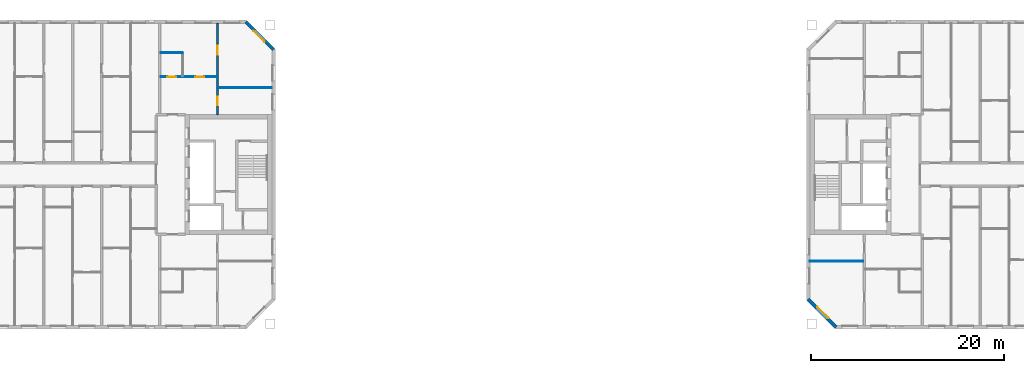
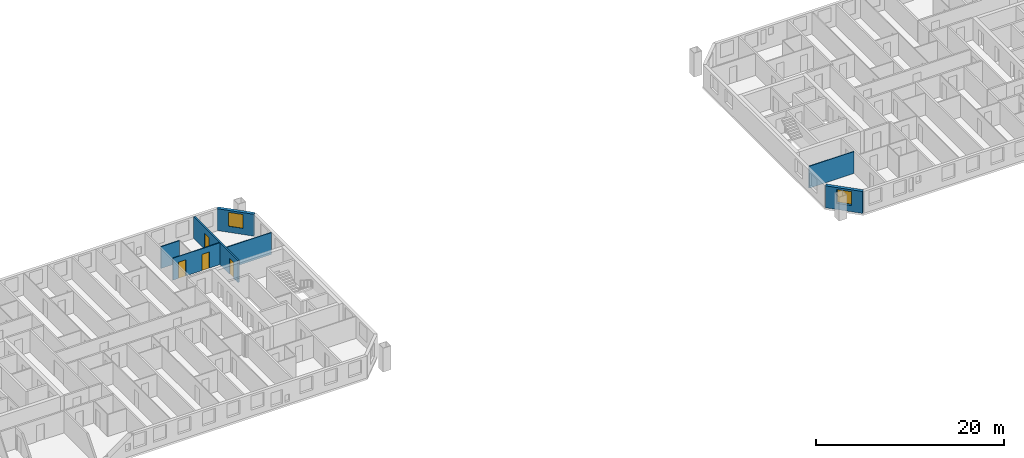
# One storey, part 8 of 16: 7 walls, 4 doors, 2 windows, 6 openings.
"""IFC4 building model written with IfcOpenShell, lengths in metres."""

from ifc_helpers import new_model, si_unit, direction, frame, frame_2d, origin, place, context, subcontext, project, spatial, rectangle, extrude, material, layer, layer_set, type_object, element, fill, save


model = new_model("IFC4")

# Units and contexts
model_context = context("Model", 3, precision=1e-05, world=origin(), true_north=direction((0.0, 1.0)))
body_context = subcontext(model_context, "Body", "Model", "MODEL_VIEW")
ifc_project = project(units=[si_unit("LENGTHUNIT", "METRE"), si_unit("AREAUNIT", "SQUARE_METRE"), si_unit("VOLUMEUNIT", "CUBIC_METRE"), si_unit("PLANEANGLEUNIT", "RADIAN"), si_unit("MASSUNIT", "GRAM", prefix="KILO")], contexts=[model_context])

# Site, building, storey
site_placement = place(None, origin())
site = spatial("IfcSite", under=ifc_project, at=site_placement, CompositionType="ELEMENT")
building_placement = place(site_placement, origin())
building = spatial("IfcBuilding", under=site, at=building_placement, Name="Tuart Gate Housing", CompositionType="ELEMENT")
storey_placement = place(building_placement, frame((0.0, 0.0, 182.0)))
storey = spatial("IfcBuildingStorey", under=building, at=storey_placement, Name="L51", CompositionType="ELEMENT", Elevation=182.0)

# Wall, opening, window
ifc_material_1 = material(Name="Brick", Category="masonry")
ifc_layer_1 = layer(ifc_material_1, 0.360107421875)
ifc_layer_set_1 = layer_set([ifc_layer_1], Name="Brick pier and spandrel wall 360")
wall_type_1 = type_object("IfcWallType", Name="Brick pier and spandrel wall 360", PredefinedType="STANDARD", material=ifc_layer_set_1)
wall_1_placement = place(storey_placement, frame((75.820068359375, 82.92529296875, 0.0), z_axis=(0.0, 0.0, 1.0), x_axis=(-0.707106781187, 0.707106781187, 0.0)))
wall_1 = element("IfcWall", 1, at=wall_1_placement, inside=storey, type_object=wall_type_1, Name="External wall A-NE L51", PredefinedType="STANDARD", context=body_context, shape_type="SweptSolid", body=[
    extrude(rectangle(XDim=4.09375, YDim=0.360107421875, at=frame_2d((2.046875, 0.0))), origin(), (0.0, 0.0, 1.0), 2.85009765625),
])
opening_1_placement = place(wall_1_placement, frame((1.2470703125, 0.0, 0.800048828125)))
opening_1 = element("IfcOpeningElement", 2, at=opening_1_placement, cuts=wall_1, Name="Opening W1", PredefinedType="OPENING", context=body_context, shape_type="SweptSolid", body=[
    extrude(rectangle(XDim=1.60009765625, YDim=1.800048828125, at=frame_2d((0.800048828125, 0.89990234375))), frame((0.0, 0.18994140625, 0.0), z_axis=(0.0, -1.0, 0.0), x_axis=(1.0, 0.0, 0.0)), (0.0, 0.0, 1.0), 0.380126953125),
])
ifc_material_2 = material(Name="Aluminium frame with clear glass", Category="aluminium")
window_type = type_object("IfcWindowType", Name="Punched window 1600 x 1800", PartitioningType="SINGLE_PANEL", PredefinedType="WINDOW", material=ifc_material_2)
window_1_placement = place(opening_1_placement, origin())
window_1 = element("IfcWindow", 3, at=window_1_placement, inside=storey, type_object=window_type, Name="Window W1", OverallHeight=1.800048828125, OverallWidth=1.60009765625, PartitioningType="SINGLE_PANEL", PredefinedType="WINDOW", context=body_context, shape_type="SweptSolid", body=[
    extrude(rectangle(XDim=1.60009765625, YDim=1.800048828125, at=frame_2d((0.800048828125, 0.89990234375))), frame((0.0, 0.150146484375, 0.0), z_axis=(0.0, -1.0, 0.0), x_axis=(1.0, 0.0, 0.0)), (0.0, 0.0, 1.0), 0.06005859375),
])
fill(opening_1, window_1)

wall_2_placement = place(storey_placement, frame((131.179931640625, 57.07470703125, 0.0), z_axis=(0.0, 0.0, 1.0), x_axis=(0.707106781187, -0.707106781187, 0.0)))
wall_2 = element("IfcWall", 4, at=wall_2_placement, inside=storey, type_object=wall_type_1, Name="External wall B-SW L51", PredefinedType="STANDARD", context=body_context, shape_type="SweptSolid", body=[
    extrude(rectangle(XDim=4.09375, YDim=0.360107421875, at=frame_2d((2.046875, 0.0))), origin(), (0.0, 0.0, 1.0), 2.85009765625),
])
opening_2_placement = place(wall_2_placement, frame((1.2470703125, 0.0, 0.800048828125)))
opening_2 = element("IfcOpeningElement", 5, at=opening_2_placement, cuts=wall_2, Name="Opening W1", PredefinedType="OPENING", context=body_context, shape_type="SweptSolid", body=[
    extrude(rectangle(XDim=1.60009765625, YDim=1.800048828125, at=frame_2d((0.800048828125, 0.89990234375))), frame((0.0, 0.18994140625, 0.0), z_axis=(0.0, -1.0, 0.0), x_axis=(1.0, 0.0, 0.0)), (0.0, 0.0, 1.0), 0.380126953125),
])
window_2_placement = place(opening_2_placement, origin())
window_2 = element("IfcWindow", 6, at=window_2_placement, inside=storey, type_object=window_type, Name="Window W1", OverallHeight=1.800048828125, OverallWidth=1.60009765625, PartitioningType="SINGLE_PANEL", PredefinedType="WINDOW", context=body_context, shape_type="SweptSolid", body=[
    extrude(rectangle(XDim=1.60009765625, YDim=1.800048828125, at=frame_2d((0.800048828125, 0.89990234375))), frame((0.0, 0.150146484375, 0.0), z_axis=(0.0, -1.0, 0.0), x_axis=(1.0, 0.0, 0.0)), (0.0, 0.0, 1.0), 0.06005859375),
])
fill(opening_2, window_2)

# Walls
ifc_material_3 = material(Name="Gypsum board on steel studs", Category="steel")
ifc_layer_2 = layer(ifc_material_3, 0.10009765625)
ifc_layer_set_2 = layer_set([ifc_layer_2], Name="Partition 100")
wall_type_2 = type_object("IfcWallType", Name="Partition 100", PredefinedType="PARTITIONING", material=ifc_layer_set_2)
for number, where, z_axis, x_axis, name in (
    (7, (131.360107421875, 61.0, 0.0), (0.0, 0.0, 1.0), (1.0, 0.0, 0.0), "Partition 100"),
    (8, (70.10009765625, 79.0, 0.0), (0.0, 0.0, 1.0), (1.0, 0.0, 0.0), "Partition 100"),
):
    element("IfcWall", number, at=place(storey_placement, frame(where, z_axis=z_axis, x_axis=x_axis)), inside=storey, type_object=wall_type_2, Name=name, PredefinedType="PARTITIONING", context=body_context, shape_type="SweptSolid", body=[
        extrude(rectangle(XDim=5.539794921875, YDim=0.10009765625, at=frame_2d((2.77001953125, 0.0))), origin(), (0.0, 0.0, 1.0), 2.85009765625),
    ])

# Wall, openings, doors
wall_3_placement = place(storey_placement, frame((64.10009765625, 80.10009765625, 0.0), z_axis=(0.0, 0.0, 1.0), x_axis=(1.0, 0.0, 0.0)))
wall_3 = element("IfcWall", 9, at=wall_3_placement, inside=storey, type_object=wall_type_2, Name="Partition 100", PredefinedType="PARTITIONING", context=body_context, shape_type="SweptSolid", body=[
    extrude(rectangle(XDim=5.7998046875, YDim=0.10009765625, at=frame_2d((2.89990234375, 0.0))), origin(), (0.0, 0.0, 1.0), 2.85009765625),
])
opening_3_placement = place(wall_3_placement, frame((3.60009765625, 0.0, 0.0)))
opening_3 = element("IfcOpeningElement", 10, at=opening_3_placement, cuts=wall_3, Name="Opening D1741", PredefinedType="OPENING", context=body_context, shape_type="SweptSolid", body=[
    extrude(rectangle(XDim=0.89990234375, YDim=2.10009765625, at=frame_2d((0.449951171875, 1.050048828125))), frame((0.0, 0.06005859375, 0.0), z_axis=(0.0, -1.0, 0.0), x_axis=(1.0, 0.0, 0.0)), (0.0, 0.0, 1.0), 0.1201171875),
])
opening_4_placement = place(wall_3_placement, frame((0.699951171875, 0.0, 0.0)))
opening_4 = element("IfcOpeningElement", 11, at=opening_4_placement, cuts=wall_3, Name="Opening D1740", PredefinedType="OPENING", context=body_context, shape_type="SweptSolid", body=[
    extrude(rectangle(XDim=0.89990234375, YDim=2.10009765625, at=frame_2d((0.449951171875, 1.050048828125))), frame((0.0, 0.06005859375, 0.0), z_axis=(0.0, -1.0, 0.0), x_axis=(1.0, 0.0, 0.0)), (0.0, 0.0, 1.0), 0.1201171875),
])
ifc_material_4 = material(Name="Timber door leaf in steel frame", Category="steel")
door_type_1 = type_object("IfcDoorType", Name="Bathroom door 900 RH", OperationType="SINGLE_SWING_RIGHT", PredefinedType="DOOR", material=ifc_material_4)
door_1_placement = place(opening_4_placement, origin())
door_1 = element("IfcDoor", 12, at=door_1_placement, inside=storey, type_object=door_type_1, Name="Bathroom door", OperationType="SINGLE_SWING_RIGHT", OverallHeight=2.10009765625, OverallWidth=0.89990234375, PredefinedType="DOOR", context=body_context, shape_type="SweptSolid", body=[
    extrude(rectangle(XDim=0.89990234375, YDim=2.10009765625, at=frame_2d((0.449951171875, 1.050048828125))), frame((0.0, 0.02490234375, 0.0), z_axis=(0.0, -1.0, 0.0), x_axis=(1.0, 0.0, 0.0)), (0.0, 0.0, 1.0), 0.050048828125),
])
fill(opening_4, door_1)
ifc_material_5 = material(Name="Timber door leaf in steel frame", Category="steel")
door_type_2 = type_object("IfcDoorType", Name="Internal door 900", OperationType="SINGLE_SWING_LEFT", PredefinedType="DOOR", material=ifc_material_5)
door_2_placement = place(opening_3_placement, frame((0.89990234375, 0.0, 0.0), z_axis=(0.0, 0.0, 1.0), x_axis=(-1.0, 0.0, 0.0)))
door_2 = element("IfcDoor", 13, at=door_2_placement, inside=storey, type_object=door_type_2, Name="Internal door", OperationType="SINGLE_SWING_LEFT", OverallHeight=2.10009765625, OverallWidth=0.89990234375, PredefinedType="DOOR", context=body_context, shape_type="SweptSolid", body=[
    extrude(rectangle(XDim=0.89990234375, YDim=2.10009765625, at=frame_2d((0.449951171875, 1.050048828125))), frame((0.0, 0.025146484375, 0.0), z_axis=(0.0, -1.0, 0.0), x_axis=(1.0, 0.0, 0.0)), (0.0, 0.0, 1.0), 0.050048828125),
])
fill(opening_3, door_2)

# Wall
wall_4_placement = place(storey_placement, frame((64.10009765625, 82.60009765625, 0.0), z_axis=(0.0, 0.0, 1.0), x_axis=(1.0, 0.0, 0.0)))
element("IfcWall", 14, at=wall_4_placement, inside=storey, type_object=wall_type_2, Name="Partition 100", PredefinedType="PARTITIONING", context=body_context, shape_type="SweptSolid", body=[
    extrude(rectangle(XDim=2.2998046875, YDim=0.10009765625, at=frame_2d((1.14990234375, 0.0))), origin(), (0.0, 0.0, 1.0), 2.85009765625),
])

# Wall, openings, doors
ifc_material_6 = material(Name="Concrete C40", Category="concrete")
ifc_layer_3 = layer(ifc_material_6, 0.199951171875)
ifc_layer_set_3 = layer_set([ifc_layer_3], Name="Party wall concrete C40 200")
wall_type_3 = type_object("IfcWallType", Name="Party wall concrete C40 200", PredefinedType="SOLIDWALL", material=ifc_layer_set_3)
wall_5_placement = place(storey_placement, frame((70.0, 76.199951171875, 0.0), z_axis=(0.0, 0.0, 1.0), x_axis=(0.0, 1.0, 0.0)))
wall_5 = element("IfcWall", 15, at=wall_5_placement, inside=storey, type_object=wall_type_3, Name="Party wall concrete C40 200", PredefinedType="SOLIDWALL", context=body_context, shape_type="SweptSolid", body=[
    extrude(rectangle(XDim=9.43994140625, YDim=0.199951171875, at=frame_2d((4.719970703125, 0.0))), origin(), (0.0, 0.0, 1.0), 2.85009765625),
])
opening_5_placement = place(wall_5_placement, frame((6.219970703125, 0.0, 0.0)))
opening_5 = element("IfcOpeningElement", 16, at=opening_5_placement, cuts=wall_5, Name="Opening D1735", PredefinedType="OPENING", context=body_context, shape_type="SweptSolid", body=[
    extrude(rectangle(XDim=0.89990234375, YDim=2.10009765625, at=frame_2d((0.449951171875, 1.050048828125))), frame((0.0, 0.10986328125, 0.0), z_axis=(0.0, -1.0, 0.0), x_axis=(1.0, 0.0, 0.0)), (0.0, 0.0, 1.0), 0.219970703125),
])
opening_6_placement = place(wall_5_placement, frame((0.949951171875, 0.0, 0.0)))
opening_6 = element("IfcOpeningElement", 17, at=opening_6_placement, cuts=wall_5, Name="Opening D1736", PredefinedType="OPENING", context=body_context, shape_type="SweptSolid", body=[
    extrude(rectangle(XDim=0.89990234375, YDim=2.10009765625, at=frame_2d((0.449951171875, 1.050048828125))), frame((0.0, 0.10986328125, 0.0), z_axis=(0.0, -1.0, 0.0), x_axis=(1.0, 0.0, 0.0)), (0.0, 0.0, 1.0), 0.219970703125),
])
door_3_placement = place(opening_5_placement, frame((0.89990234375, 0.0, 0.0), z_axis=(0.0, 0.0, 1.0), x_axis=(-1.0, 0.0, 0.0)))
door_3 = element("IfcDoor", 18, at=door_3_placement, inside=storey, type_object=door_type_2, Name="Internal door", OperationType="SINGLE_SWING_LEFT", OverallHeight=2.10009765625, OverallWidth=0.89990234375, PredefinedType="DOOR", context=body_context, shape_type="SweptSolid", body=[
    extrude(rectangle(XDim=0.89990234375, YDim=2.10009765625, at=frame_2d((0.449951171875, 1.050048828125))), frame((0.0, 0.025146484375, 0.0), z_axis=(0.0, -1.0, 0.0), x_axis=(1.0, 0.0, 0.0)), (0.0, 0.0, 1.0), 0.050048828125),
])
fill(opening_5, door_3)
ifc_material_7 = material(Name="Timber door leaf in steel frame", Category="steel")
door_type_3 = type_object("IfcDoorType", Name="Internal door 900 RH", OperationType="SINGLE_SWING_RIGHT", PredefinedType="DOOR", material=ifc_material_7)
door_4_placement = place(opening_6_placement, frame((0.89990234375, 0.0, 0.0), z_axis=(0.0, 0.0, 1.0), x_axis=(-1.0, 0.0, 0.0)))
door_4 = element("IfcDoor", 19, at=door_4_placement, inside=storey, type_object=door_type_3, Name="Internal door", OperationType="SINGLE_SWING_RIGHT", OverallHeight=2.10009765625, OverallWidth=0.89990234375, PredefinedType="DOOR", context=body_context, shape_type="SweptSolid", body=[
    extrude(rectangle(XDim=0.89990234375, YDim=2.10009765625, at=frame_2d((0.449951171875, 1.050048828125))), frame((0.0, 0.025146484375, 0.0), z_axis=(0.0, -1.0, 0.0), x_axis=(1.0, 0.0, 0.0)), (0.0, 0.0, 1.0), 0.050048828125),
])
fill(opening_6, door_4)

save(model, "model.ifc")
